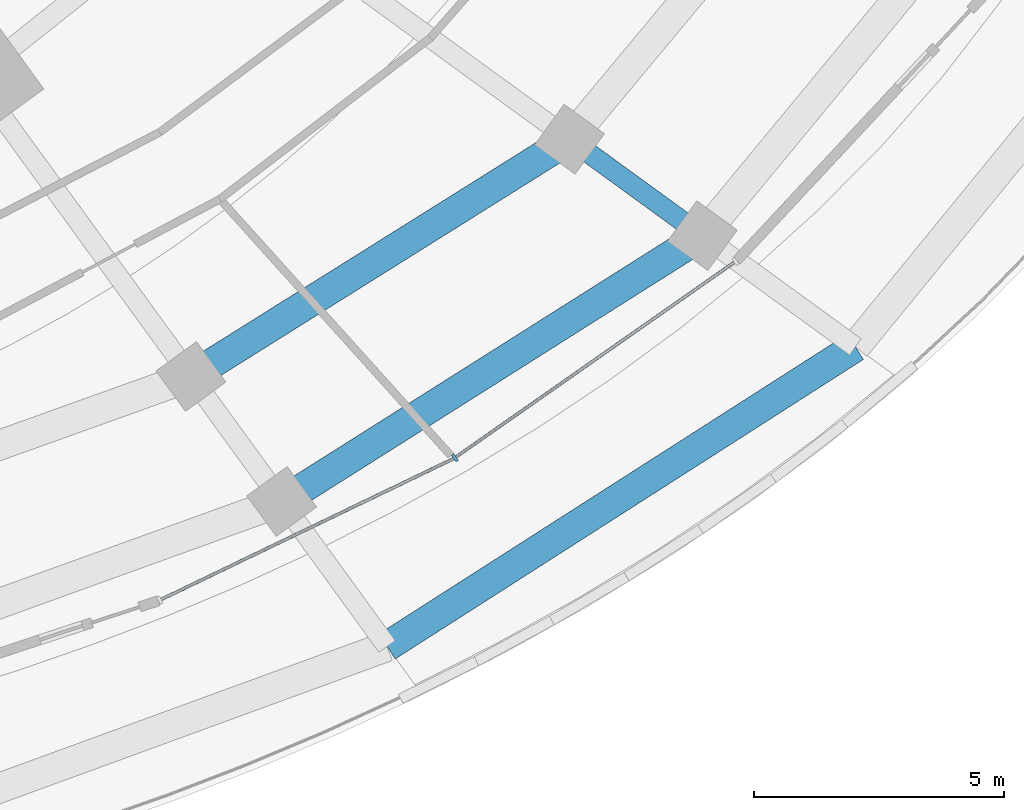
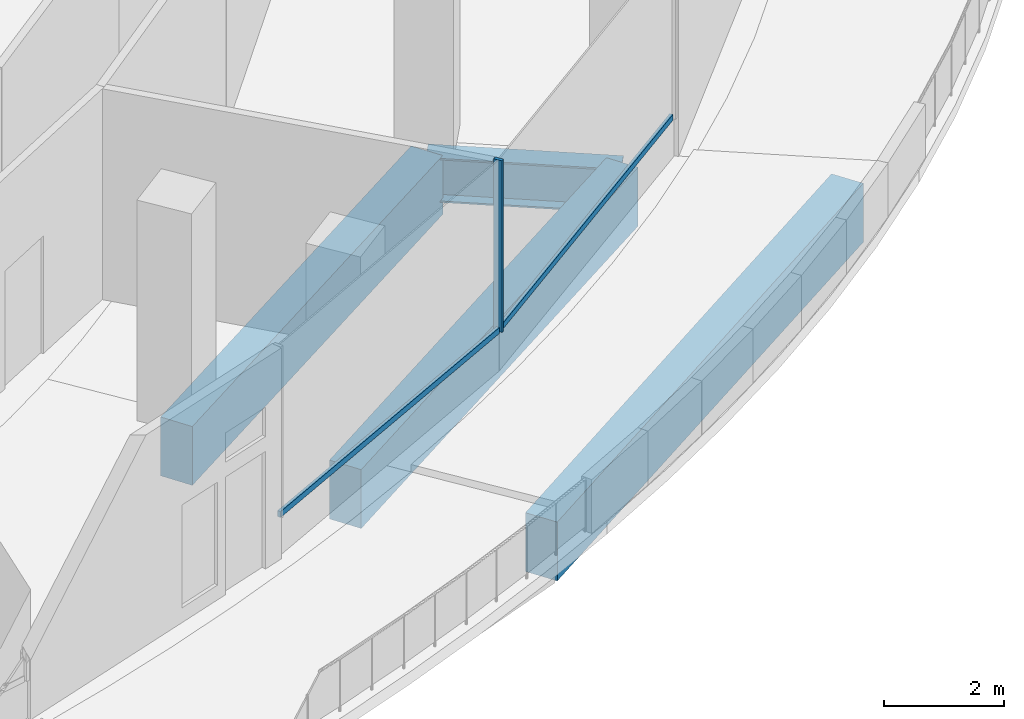
# One storey, part 6 of 27: 4 beams, 3 members, 1 element without a shape of its own.
"""IFC4 building model written with IfcOpenShell, lengths in metres."""

from ifc_helpers import new_model, si_unit, direction, frame, origin, origin_2d, place, context, subcontext, project, spatial, rectangle, i_section, extrude, material, material_profile, profile_set, type_object, element, aggregate, save


model = new_model("IFC4")

# Units and contexts
model_context = context("Model", 3, precision=1e-05, world=origin(), true_north=direction((0.0, 1.0)))
body_context = subcontext(model_context, "Body", "Model", "MODEL_VIEW")
ifc_project = project(units=[si_unit("LENGTHUNIT", "METRE"), si_unit("AREAUNIT", "SQUARE_METRE"), si_unit("VOLUMEUNIT", "CUBIC_METRE"), si_unit("PLANEANGLEUNIT", "RADIAN"), si_unit("MASSUNIT", "GRAM", prefix="KILO")], contexts=[model_context])

# Site, building, storey
site_placement = place(None, origin())
site = spatial("IfcSite", under=ifc_project, at=site_placement, CompositionType="ELEMENT")
building_placement = place(site_placement, origin())
building = spatial("IfcBuilding", under=site, at=building_placement, Name="Marramba Exchange Tower", CompositionType="ELEMENT")
storey_placement = place(building_placement, frame((0.0, 0.0, 10.60009765625)))
storey = spatial("IfcBuildingStorey", under=building, at=storey_placement, Name="L02", CompositionType="ELEMENT", Elevation=10.60009765625)

# Beams
ifc_material_1 = material(Name="Concrete N50", Category="concrete")
ifc_material_profile_1 = material_profile(ifc_material_1, rectangle(XDim=0.60009765625, YDim=1.199951171875, at=origin_2d()), Name="RC 600x1200")
ifc_profile_set_1 = profile_set([ifc_material_profile_1], Name="Concrete N50")
beam_type_1 = type_object("IfcBeamType", Name="Edge beam RC 600x1200 N50", PredefinedType="SPANDREL", material=ifc_profile_set_1)
beam_1_placement = place(storey_placement, frame((19.691650390625, -27.103271484375, -0.85009765625), z_axis=(0.84235792629, 0.538918476225, 0.0), x_axis=(-0.538918476225, 0.84235792629, 0.0)))
element("IfcBeam", 1, at=beam_1_placement, inside=storey, type_object=beam_type_1, Name="Edge beam L02 P1C18", PredefinedType="SPANDREL", context=body_context, shape_type="SweptSolid", body=[
    extrude(rectangle(XDim=0.60009765625, YDim=1.199951171875, at=origin_2d()), origin(), (0.0, 0.0, 1.0), 11.118408203125),
])
beam_2_placement = place(storey_placement, frame((17.585205078125, -24.203857421875, -0.800048828125), z_axis=(0.845320367889, 0.534259745473, 0.0), x_axis=(-0.534259745473, 0.845320367889, 0.0)))
element("IfcBeam", 2, at=beam_2_placement, inside=storey, type_object=beam_type_1, Name="Edge beam L02 P2C18", PredefinedType="SPANDREL", context=body_context, shape_type="SweptSolid", body=[
    extrude(rectangle(XDim=0.60009765625, YDim=1.199951171875, at=origin_2d()), origin(), (0.0, 0.0, 1.0), 9.950439453125),
])
beam_3_placement = place(storey_placement, frame((15.769775390625, -21.705078125, -0.800048828125), z_axis=(0.847342315291, 0.531047079567, 0.0), x_axis=(-0.531047079567, 0.847342315291, 0.0)))
element("IfcBeam", 3, at=beam_3_placement, inside=storey, type_object=beam_type_1, Name="Edge beam L02 P3C18", PredefinedType="SPANDREL", context=body_context, shape_type="SweptSolid", body=[
    extrude(rectangle(XDim=0.60009765625, YDim=1.199951171875, at=origin_2d()), origin(), (0.0, 0.0, 1.0), 8.936767578125),
])

# Curtain wall, members
ifc_material_2 = material(Name="Aluminium framing, bronze anodised", Category="aluminium")
curtain_wall_type = type_object("IfcCurtainWallType", Name="Podium ribbon curtain wall", PredefinedType="USERDEFINED", material=ifc_material_2)
curtain_wall_placement = place(storey_placement, origin())
curtain_wall = element("IfcCurtainWall", 4, at=curtain_wall_placement, inside=storey, type_object=curtain_wall_type, Name="Curtain wall CW2 L02 F26-F27", ObjectType="RIBBON CURTAIN WALL", PredefinedType="USERDEFINED")
ifc_material_3 = material(Name="Aluminium mullion, bronze anodised", Category="aluminium")
ifc_material_profile_2 = material_profile(ifc_material_3, rectangle(XDim=0.159912109375, YDim=0.06005859375, at=origin_2d()), Name="CW2 mullion 60x160")
ifc_profile_set_2 = profile_set([ifc_material_profile_2], Name="Aluminium mullion, bronze anodised")
member_type_1 = type_object("IfcMemberType", Name="Podium ribbon curtain wall mullion", PredefinedType="MULLION", material=ifc_profile_set_2)
member_1_placement = place(storey_placement, frame((21.046875, -23.33056640625, 0.7998046875), z_axis=(0.0, 0.0, 1.0), x_axis=(-0.573199309279, 0.819415982174, 0.0)))
member_1 = element("IfcMember", 5, at=member_1_placement, type_object=member_type_1, Name="CW2 mullion 1", PredefinedType="MULLION", context=body_context, shape_type="SweptSolid", body=[
    extrude(rectangle(XDim=0.159912109375, YDim=0.06005859375, at=origin_2d()), origin(), (0.0, 0.0, 1.0), 3.5),
])
ifc_material_4 = material(Name="Aluminium transom, bronze anodised", Category="aluminium")
ifc_material_profile_3 = material_profile(ifc_material_4, rectangle(XDim=0.06005859375, YDim=0.1201171875, at=origin_2d()), Name="CW2 transom 60x120")
ifc_profile_set_3 = profile_set([ifc_material_profile_3], Name="Aluminium transom, bronze anodised")
member_type_2 = type_object("IfcMemberType", Name="Podium ribbon curtain wall transom", PredefinedType="USERDEFINED", material=ifc_profile_set_3)
member_2_placement = place(storey_placement, frame((15.1748046875, -26.1640625, 0.829833984375), z_axis=(0.900949387878, 0.433924187482, 0.0), x_axis=(-0.433924187482, 0.900949387878, 0.0)))
member_2 = element("IfcMember", 6, at=member_2_placement, type_object=member_type_2, Name="CW2 sill transom", ObjectType="TRANSOM", PredefinedType="USERDEFINED", context=body_context, shape_type="SweptSolid", body=[
    extrude(rectangle(XDim=0.06005859375, YDim=0.1201171875, at=origin_2d()), origin(), (0.0, 0.0, 1.0), 6.490478515625),
])
member_3_placement = place(storey_placement, frame((21.071533203125, -23.3134765625, 0.829833984375), z_axis=(0.819410946603, 0.573206507802, 0.0), x_axis=(-0.573206507802, 0.819410946603, 0.0)))
member_3 = element("IfcMember", 7, at=member_3_placement, type_object=member_type_2, Name="CW2 sill transom", ObjectType="TRANSOM", PredefinedType="USERDEFINED", context=body_context, shape_type="SweptSolid", body=[
    extrude(rectangle(XDim=0.06005859375, YDim=0.1201171875, at=origin_2d()), origin(), (0.0, 0.0, 1.0), 6.78955078125),
])
aggregate(curtain_wall, [member_2, member_1, member_3])

# Beam
ifc_material_5 = material(Name="Steel AS/NZS 3679.2 grade 300", Category="steel")
ifc_material_profile_4 = material_profile(ifc_material_5, i_section(OverallWidth=0.39990234375, OverallDepth=0.89990234375, WebThickness=0.01611328125, FlangeThickness=0.031982421875, at=origin_2d()), Name="900WB282")
ifc_profile_set_4 = profile_set([ifc_material_profile_4], Name="Steel AS/NZS 3679.2 grade 300")
beam_type_2 = type_object("IfcBeamType", Name="Radial girder 900WB282", PredefinedType="BEAM", material=ifc_profile_set_4)
beam_4_placement = place(storey_placement, frame((25.99658203125, -18.8876953125, -0.650146484375), z_axis=(-0.809015945709, 0.587786695655, 0.0), x_axis=(-0.587786695655, -0.809015945709, 0.0)))
element("IfcBeam", 8, at=beam_4_placement, inside=storey, type_object=beam_type_2, Name="Radial girder L02 P2C19", PredefinedType="BEAM", context=body_context, shape_type="SweptSolid", body=[
    extrude(i_section(OverallWidth=0.39990234375, OverallDepth=0.89990234375, WebThickness=0.01611328125, FlangeThickness=0.031982421875, at=origin_2d()), origin(), (0.0, 0.0, 1.0), 3.281005859375),
])

save(model, "model.ifc")
